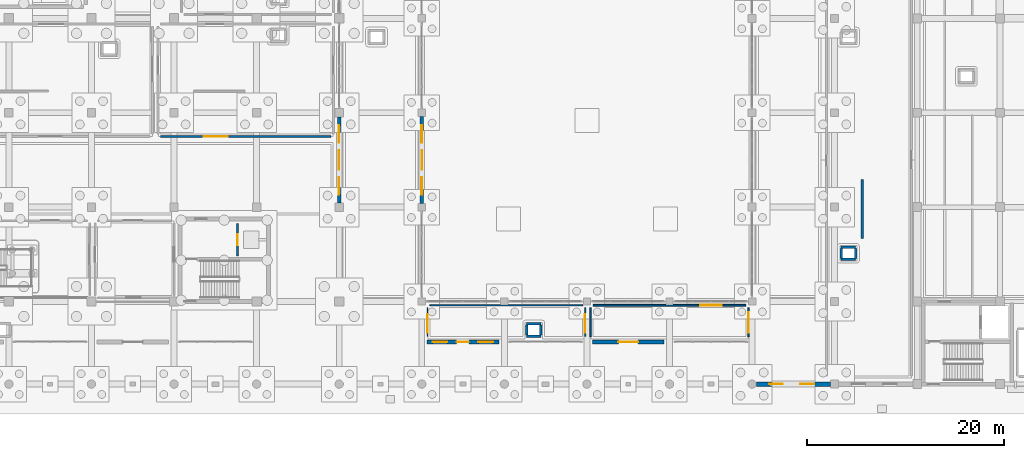
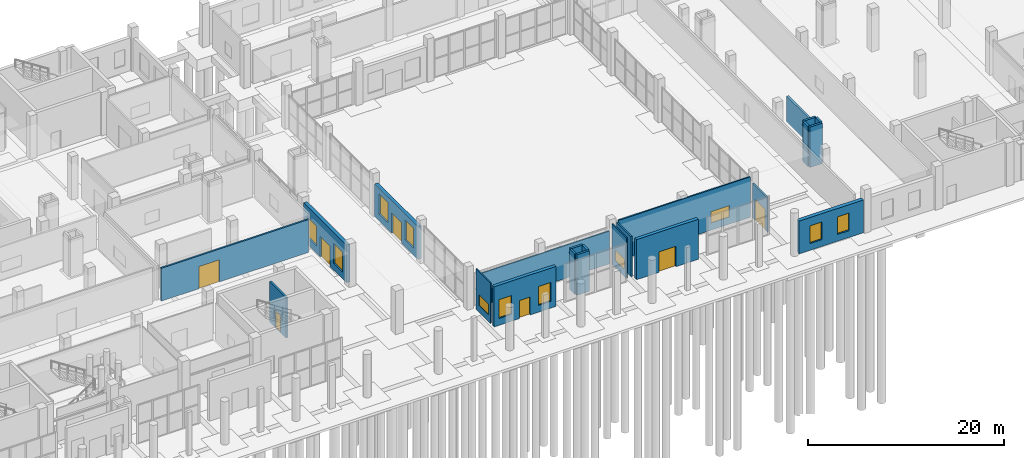
# One storey, part 42 of 65: 22 walls, 11 windows, 7 doors, 18 openings.
"""IFC4 building model written with IfcOpenShell, lengths in metres."""

import ifcopenshell
import ifcopenshell.guid

model = None  # the IFC model being written
_history = None  # IfcOwnerHistory: only IFC2X3 demands one
_inside = {}  # id of a spatial element -> (the spatial element, [elements in it])
_under = {}  # id of a project, library or spatial element -> (it, [spatial elements below it])
_declared = {}  # id of a project -> (the project, [libraries it declares])
_typed = {}  # id of a type object -> (the type object, [elements of that type])
_made_of = {}  # id of a material, layer set ... -> (it, [elements and type objects made of it])


def new_model(schema):
    """Start an empty IFC model of exactly this schema.

    Asked for "IFC4X3", IfcOpenShell would pick the latest addendum, in which some entities
    have other attributes; the version numbers below select the first issue.
    IFC2X3 requires an IfcOwnerHistory on every rooted entity: one is made here for all.
    """
    global model, _history
    if schema == "IFC4X3":
        model = ifcopenshell.file(schema_version=(4, 3, 0, 0))
    else:
        model = ifcopenshell.file(schema=schema)
    _inside.clear()
    _under.clear()
    _declared.clear()
    _typed.clear()
    _made_of.clear()
    _history = None
    if model.schema == "IFC2X3":
        org = make("IfcOrganization", Name="unknown")
        user = make(
            "IfcPersonAndOrganization",
            ThePerson=make("IfcPerson", FamilyName="unknown"),
            TheOrganization=org,
        )
        app = make(
            "IfcApplication",
            ApplicationDeveloper=org,
            Version="unknown",
            ApplicationFullName="unknown",
            ApplicationIdentifier="unknown",
        )
        _history = make(
            "IfcOwnerHistory",
            OwningUser=user,
            OwningApplication=app,
            ChangeAction="ADDED",
            CreationDate=0,
        )
    return model


def make(cls, **values):
    """One entity of the class cls with the attributes given. An attribute that is None is left unset."""
    return model.create_entity(
        cls, **{name: value for name, value in values.items() if value is not None}
    )


def rooted(cls, **values):
    """An entity with a GlobalId (a new one), such as an element, a storey or a relation."""
    return make(cls, GlobalId=ifcopenshell.guid.new(), OwnerHistory=_history, **values)


def si_unit(unit_type, name, prefix=None):
    """IfcSIUnit, for example si_unit("LENGTHUNIT", "METRE", prefix="MILLI")."""
    return make("IfcSIUnit", UnitType=unit_type, Prefix=prefix, Name=name)


def assignment(units):
    """IfcUnitAssignment: the units of a project."""
    return None if units is None else make("IfcUnitAssignment", Units=units)


def point(xyz):
    """IfcCartesianPoint."""
    return None if xyz is None else make("IfcCartesianPoint", Coordinates=xyz)


def direction(xyz):
    """IfcDirection."""
    return None if xyz is None else make("IfcDirection", DirectionRatios=xyz)


def frame(location, z_axis=None, x_axis=None):
    """IfcAxis2Placement3D, a coordinate frame: its origin and axes. An axis left out is left unset."""
    return make(
        "IfcAxis2Placement3D",
        Location=point(location),
        Axis=direction(z_axis),
        RefDirection=direction(x_axis),
    )


def frame_2d(location, x_axis=None):
    """IfcAxis2Placement2D, a coordinate frame in the plane: its origin and x axis."""
    return make(
        "IfcAxis2Placement2D", Location=point(location), RefDirection=direction(x_axis)
    )


def origin():
    """The frame at (0, 0, 0) with its axes left unset."""
    return frame((0.0, 0.0, 0.0))


def place(relative_to, where):
    """IfcLocalPlacement: puts the frame where relative to a parent placement (None: the world)."""
    return make(
        "IfcLocalPlacement", PlacementRelTo=relative_to, RelativePlacement=where
    )


def context(
    kind, dimensions, precision=None, world=None, true_north=None, identifier=None
):
    """IfcGeometricRepresentationContext, for example the 3D "Model" context."""
    return make(
        "IfcGeometricRepresentationContext",
        ContextIdentifier=identifier,
        ContextType=kind,
        CoordinateSpaceDimension=dimensions,
        Precision=precision,
        WorldCoordinateSystem=world,
        TrueNorth=true_north,
    )


def subcontext(parent, identifier, kind, view, scale=None):
    """IfcGeometricRepresentationSubContext, for example "Body" below "Model"."""
    return make(
        "IfcGeometricRepresentationSubContext",
        ContextIdentifier=identifier,
        ContextType=kind,
        ParentContext=parent,
        TargetScale=scale,
        TargetView=view,
    )


def project(units=None, contexts=None):
    """IfcProject with its units and contexts."""
    return rooted(
        "IfcProject",
        Name="project",
        RepresentationContexts=contexts,
        UnitsInContext=assignment(units),
    )


def spatial(cls, under=None, at=None, **own):
    """A site, building, storey or space (cls), placed at a placement, below another one or the project."""
    s = rooted(cls, ObjectPlacement=at, **own)
    if under is not None:
        _under.setdefault(under.id(), (under, []))[1].append(s)
    return s


def profile(cls, at=None, kind="AREA", **sizes):
    """A parametric profile (cls). Its sizes go by their IFC names, for example OverallWidth=200.0."""
    return make(cls, ProfileType=kind, Position=at, **sizes)


def rectangle(**sizes):
    """IfcRectangleProfileDef."""
    return profile("IfcRectangleProfileDef", **sizes)


def extrude(swept, where, along, depth):
    """IfcExtrudedAreaSolid: the profile swept, set in the frame where, extruded along a direction by depth."""
    return make(
        "IfcExtrudedAreaSolid",
        SweptArea=swept,
        Position=where,
        ExtrudedDirection=direction(along),
        Depth=depth,
    )


def shape(context_of_items, identifier, shape_type, items):
    """IfcShapeRepresentation: the items that make up one representation, for example the "Body"."""
    return make(
        "IfcShapeRepresentation",
        ContextOfItems=context_of_items,
        RepresentationIdentifier=identifier,
        RepresentationType=shape_type,
        Items=items,
    )


def material(Name=None, Category=None):
    """IfcMaterial."""
    return make("IfcMaterial", Name=Name, Category=Category)


def layer(
    of_material, thickness, ventilated=None, Name=None, Category=None, Priority=None
):
    """IfcMaterialLayer: one layer of a wall or slab, of a material (None: an air gap)."""
    return make(
        "IfcMaterialLayer",
        Material=of_material,
        LayerThickness=thickness,
        IsVentilated=ventilated,
        Name=Name,
        Category=Category,
        Priority=Priority,
    )


def layer_set(layers, Name=None):
    """IfcMaterialLayerSet."""
    return make("IfcMaterialLayerSet", MaterialLayers=layers, LayerSetName=Name)


def made_of(thing, what):
    """Note that an element or type object is made of a material, layer set ...; save() writes the relation."""
    if what is not None:
        _made_of.setdefault(what.id(), (what, []))[1].append(thing)
    return thing


def type_object(cls, material=None, **own):
    """A type object (cls), such as IfcWallType, which elements share."""
    return made_of(rooted(cls, **own), material)


def element(
    cls,
    number,
    at=None,
    inside=None,
    cuts=None,
    type_object=None,
    material=None,
    context=None,
    identifier="Body",
    shape_type=None,
    held_by="IfcProductDefinitionShape",
    body=None,
    shapes=None,
    **own,
):
    """One element of the class cls, such as IfcWall. Its Tag is "e" and its number.

    at: its placement. inside: the storey or other place that contains it. cuts: it is an
    opening in that element (IfcRelVoidsElement). A single representation is given by context,
    identifier, shape_type and body (its items); several are given by shapes. held_by: the class
    of the entity that holds the representations. save() writes the other relations.
    """
    e = rooted(cls, Tag="e%d" % number, ObjectPlacement=at, **own)
    if body is not None:
        shapes = [shape(context, identifier, shape_type, body)]
    if shapes is not None:
        e.Representation = make(held_by, Representations=shapes)
    if inside is not None:
        _inside.setdefault(inside.id(), (inside, []))[1].append(e)
    if cuts is not None:
        rooted(
            "IfcRelVoidsElement", RelatingBuildingElement=cuts, RelatedOpeningElement=e
        )
    if type_object is not None:
        _typed.setdefault(type_object.id(), (type_object, []))[1].append(e)
    return made_of(e, material)


def fill(opening, filler):
    """IfcRelFillsElement: the door or window that sits in an opening."""
    return rooted(
        "IfcRelFillsElement",
        RelatingOpeningElement=opening,
        RelatedBuildingElement=filler,
    )


def aggregate(whole, parts):
    """IfcRelAggregates: a whole, such as a stair, and the parts it consists of."""
    return rooted("IfcRelAggregates", RelatingObject=whole, RelatedObjects=parts)


def save(model, path):
    """Write the relations noted so far, then the file.

    IfcRelAggregates (storeys below a building ...), IfcRelContainedInSpatialStructure (elements
    in a storey), IfcRelDefinesByType, IfcRelAssociatesMaterial and IfcRelDeclares: one each for
    every whole, place, type object, material and project.
    """
    for whole, parts in _under.values():
        aggregate(whole, parts)
    for where, things in _inside.values():
        rooted(
            "IfcRelContainedInSpatialStructure",
            RelatedElements=things,
            RelatingStructure=where,
        )
    for kind, things in _typed.values():
        rooted("IfcRelDefinesByType", RelatedObjects=things, RelatingType=kind)
    for what, things in _made_of.values():
        rooted("IfcRelAssociatesMaterial", RelatedObjects=things, RelatingMaterial=what)
    for by, libraries in _declared.values():
        rooted("IfcRelDeclares", RelatingContext=by, RelatedDefinitions=libraries)
    model.write(path)


model = new_model("IFC4")

# Units and contexts
model_context = context("Model", 3, precision=1e-05, world=origin(), true_north=direction((0.0, 1.0)))
body_context = subcontext(model_context, "Body", "Model", "MODEL_VIEW")
ifc_project = project(units=[si_unit("LENGTHUNIT", "METRE"), si_unit("AREAUNIT", "SQUARE_METRE"), si_unit("VOLUMEUNIT", "CUBIC_METRE"), si_unit("PLANEANGLEUNIT", "RADIAN"), si_unit("MASSUNIT", "GRAM", prefix="KILO")], contexts=[model_context])

# Site, building, storey
site_placement = place(None, origin())
site = spatial("IfcSite", under=ifc_project, at=site_placement, CompositionType="ELEMENT")
building_placement = place(site_placement, origin())
building = spatial("IfcBuilding", under=site, at=building_placement, Name="Zulmaris Art Gallery", CompositionType="ELEMENT")
storey_placement = place(building_placement, origin())
storey = spatial("IfcBuildingStorey", under=building, at=storey_placement, Name="L00", CompositionType="ELEMENT", Elevation=0.0)

# Wall, openings, windows
ifc_material_1 = material(Name="Omani Cream Limestone Ashlar Masonry", Category="masonry")
ifc_layer_1 = layer(ifc_material_1, 0.43994140625)
ifc_layer_set_1 = layer_set([ifc_layer_1], Name="Omani Cream Limestone Ashlar Masonry")
wall_type_1 = type_object("IfcWallType", Name="ENV-WALL-EW01", PredefinedType="SOLIDWALL", material=ifc_layer_set_1)
wall_1_placement = place(storey_placement, frame((125.22705078125, 13.199951171875, 0.0), z_axis=(0.0, 0.0, 1.0), x_axis=(1.0, 0.0, 0.0)))
wall_1 = element("IfcWall", 1, at=wall_1_placement, inside=storey, type_object=wall_type_1, Name="L00 V4 South Street Facade", PredefinedType="SOLIDWALL", context=body_context, shape_type="SweptSolid", body=[
    extrude(rectangle(XDim=7.571044921875, YDim=0.43994140625, at=frame_2d((3.78564453125, 0.0))), origin(), (0.0, 0.0, 1.0), 4.090087890625),
])
opening_1_placement = place(wall_1_placement, frame((1.29296875, 0.0, 0.85009765625)))
opening_1 = element("IfcOpeningElement", 2, at=opening_1_placement, cuts=wall_1, Name="Opening W04", PredefinedType="OPENING", context=body_context, shape_type="SweptSolid", body=[
    extrude(rectangle(XDim=1.39990234375, YDim=2.199951171875, at=frame_2d((0.699951171875, 1.10009765625))), frame((0.0, 0.22998046875, 0.0), z_axis=(0.0, -1.0, 0.0), x_axis=(1.0, 0.0, 0.0)), (0.0, 0.0, 1.0), 0.4599609375),
])
opening_2_placement = place(wall_1_placement, frame((4.492919921875, 0.0, 0.85009765625)))
opening_2 = element("IfcOpeningElement", 3, at=opening_2_placement, cuts=wall_1, Name="Opening W04", PredefinedType="OPENING", context=body_context, shape_type="SweptSolid", body=[
    extrude(rectangle(XDim=1.39990234375, YDim=2.199951171875, at=frame_2d((0.699951171875, 1.10009765625))), frame((0.0, 0.22998046875, 0.0), z_axis=(0.0, -1.0, 0.0), x_axis=(1.0, 0.0, 0.0)), (0.0, 0.0, 1.0), 0.4599609375),
])
ifc_material_2 = material(Name="Deep-Reveal Limestone Slot Window", Category="masonry")
window_type_1 = type_object("IfcWindowType", Name="WIN-W04", PartitioningType="SINGLE_PANEL", PredefinedType="WINDOW", material=ifc_material_2)
window_1_placement = place(opening_1_placement, origin())
window_1 = element("IfcWindow", 4, at=window_1_placement, inside=storey, type_object=window_type_1, Name="L00 exterior window W04", OverallHeight=2.199951171875, OverallWidth=1.39990234375, PartitioningType="SINGLE_PANEL", PredefinedType="WINDOW", context=body_context, shape_type="SweptSolid", body=[
    extrude(rectangle(XDim=1.39990234375, YDim=2.199951171875, at=frame_2d((0.699951171875, 1.10009765625))), frame((0.0, 0.030029296875, 0.0), z_axis=(0.0, -1.0, 0.0), x_axis=(1.0, 0.0, 0.0)), (0.0, 0.0, 1.0), 0.06005859375),
])
fill(opening_1, window_1)
window_2_placement = place(opening_2_placement, origin())
window_2 = element("IfcWindow", 5, at=window_2_placement, inside=storey, type_object=window_type_1, Name="L00 exterior window W04", OverallHeight=2.199951171875, OverallWidth=1.39990234375, PartitioningType="SINGLE_PANEL", PredefinedType="WINDOW", context=body_context, shape_type="SweptSolid", body=[
    extrude(rectangle(XDim=1.39990234375, YDim=2.199951171875, at=frame_2d((0.699951171875, 1.10009765625))), frame((0.0, 0.030029296875, 0.0), z_axis=(0.0, -1.0, 0.0), x_axis=(1.0, 0.0, 0.0)), (0.0, 0.0, 1.0), 0.06005859375),
])
fill(opening_2, window_2)

# Wall, opening, door
ifc_material_3 = material(Name="Omani Desert Rose Limestone Cladding Wall", Category="masonry")
ifc_layer_2 = layer(ifc_material_3, 0.389892578125)
ifc_layer_set_2 = layer_set([ifc_layer_2], Name="Omani Desert Rose Limestone Cladding Wall")
wall_type_2 = type_object("IfcWallType", Name="ENV-WALL-EW02", PredefinedType="SOLIDWALL", material=ifc_layer_set_2)
wall_2_placement = place(storey_placement, frame((108.550048828125, 17.5, 0.0), z_axis=(0.0, 0.0, 1.0), x_axis=(1.0, 0.0, 0.0)))
wall_2 = element("IfcWall", 6, at=wall_2_placement, inside=storey, type_object=wall_type_2, Name="L00 Cloister South Exit Wall", PredefinedType="SOLIDWALL", context=body_context, shape_type="SweptSolid", body=[
    extrude(rectangle(XDim=7.300048828125, YDim=0.389892578125, at=frame_2d((3.64990234375, 0.0))), origin(), (0.0, 0.0, 1.0), 5.0),
])
opening_3_placement = place(wall_2_placement, frame((2.64990234375, 0.0, 0.0)))
opening_3 = element("IfcOpeningElement", 7, at=opening_3_placement, cuts=wall_2, Name="Opening ED01", PredefinedType="OPENING", context=body_context, shape_type="SweptSolid", body=[
    extrude(rectangle(XDim=2.0, YDim=2.550048828125, at=frame_2d((1.0, 1.27490234375))), frame((0.0, 0.204833984375, 0.0), z_axis=(0.0, -1.0, 0.0), x_axis=(1.0, 0.0, 0.0)), (0.0, 0.0, 1.0), 0.409912109375),
])
ifc_material_4 = material(Name="Bronze-Framed Glazed Main Entrance Door", Category="glass")
door_type_1 = type_object("IfcDoorType", Name="EDOOR-ED01", OperationType="DOUBLE_SWING_LEFT", PredefinedType="DOOR", material=ifc_material_4)
door_1_placement = place(opening_3_placement, origin())
door_1 = element("IfcDoor", 8, at=door_1_placement, inside=storey, type_object=door_type_1, Name="Sculpture Cloister South Street Exit Door", OperationType="DOUBLE_SWING_LEFT", OverallHeight=2.550048828125, OverallWidth=2.0, PredefinedType="DOOR", context=body_context, shape_type="SweptSolid", body=[
    extrude(rectangle(XDim=2.0, YDim=2.550048828125, at=frame_2d((1.0, 1.27490234375))), frame((0.0, 0.02490234375, 0.0), z_axis=(0.0, -1.0, 0.0), x_axis=(1.0, 0.0, 0.0)), (0.0, 0.0, 1.0), 0.050048828125),
])
fill(opening_3, door_1)

# Wall, openings, door, windows
wall_3_placement = place(storey_placement, frame((91.75, 17.5, 0.0), z_axis=(0.0, 0.0, 1.0), x_axis=(1.0, 0.0, 0.0)))
wall_3 = element("IfcWall", 9, at=wall_3_placement, inside=storey, type_object=wall_type_2, Name="L00 Cafe Colonnade Wall", PredefinedType="SOLIDWALL", context=body_context, shape_type="SweptSolid", body=[
    extrude(rectangle(XDim=7.300048828125, YDim=0.389892578125, at=frame_2d((3.64990234375, 0.0))), origin(), (0.0, 0.0, 1.0), 5.0),
])
opening_4_placement = place(wall_3_placement, frame((0.550048828125, 0.0, 0.85009765625)))
opening_4 = element("IfcOpeningElement", 10, at=opening_4_placement, cuts=wall_3, Name="Opening W07", PredefinedType="OPENING", context=body_context, shape_type="SweptSolid", body=[
    extrude(rectangle(XDim=1.5, YDim=2.35009765625, at=frame_2d((0.75, 1.175048828125))), frame((0.0, 0.204833984375, 0.0), z_axis=(0.0, -1.0, 0.0), x_axis=(1.0, 0.0, 0.0)), (0.0, 0.0, 1.0), 0.409912109375),
])
opening_5_placement = place(wall_3_placement, frame((5.199951171875, 0.0, 0.85009765625)))
opening_5 = element("IfcOpeningElement", 11, at=opening_5_placement, cuts=wall_3, Name="Opening W07", PredefinedType="OPENING", context=body_context, shape_type="SweptSolid", body=[
    extrude(rectangle(XDim=1.5, YDim=2.35009765625, at=frame_2d((0.75, 1.175048828125))), frame((0.0, 0.204833984375, 0.0), z_axis=(0.0, -1.0, 0.0), x_axis=(1.0, 0.0, 0.0)), (0.0, 0.0, 1.0), 0.409912109375),
])
opening_6_placement = place(wall_3_placement, frame((3.0, 0.0, 0.0)))
opening_6 = element("IfcOpeningElement", 12, at=opening_6_placement, cuts=wall_3, Name="Opening ED04", PredefinedType="OPENING", context=body_context, shape_type="SweptSolid", body=[
    extrude(rectangle(XDim=1.25, YDim=2.25, at=frame_2d((0.625, 1.125))), frame((0.0, 0.204833984375, 0.0), z_axis=(0.0, -1.0, 0.0), x_axis=(1.0, 0.0, 0.0)), (0.0, 0.0, 1.0), 0.409912109375),
])
ifc_material_5 = material(Name="Staff & Cafe Exterior Door", Category="aluminium")
door_type_2 = type_object("IfcDoorType", Name="EDOOR-ED04", OperationType="SINGLE_SWING_RIGHT", PredefinedType="DOOR", material=ifc_material_5)
door_2_placement = place(opening_6_placement, origin())
door_2 = element("IfcDoor", 13, at=door_2_placement, inside=storey, type_object=door_type_2, Name="Gallery Cafe Colonnade Entrance", OperationType="SINGLE_SWING_RIGHT", OverallHeight=2.25, OverallWidth=1.25, PredefinedType="DOOR", context=body_context, shape_type="SweptSolid", body=[
    extrude(rectangle(XDim=1.25, YDim=2.25, at=frame_2d((0.625, 1.125))), frame((0.0, 0.02490234375, 0.0), z_axis=(0.0, -1.0, 0.0), x_axis=(1.0, 0.0, 0.0)), (0.0, 0.0, 1.0), 0.050048828125),
])
fill(opening_6, door_2)
ifc_material_6 = material(Name="Gallery Cloister Bronze Window", Category="glass")
window_type_2 = type_object("IfcWindowType", Name="WIN-W07", PartitioningType="SINGLE_PANEL", PredefinedType="WINDOW", material=ifc_material_6)
window_3_placement = place(opening_4_placement, origin())
window_3 = element("IfcWindow", 14, at=window_3_placement, inside=storey, type_object=window_type_2, Name="L00 exterior window W07", OverallHeight=2.35009765625, OverallWidth=1.5, PartitioningType="SINGLE_PANEL", PredefinedType="WINDOW", context=body_context, shape_type="SweptSolid", body=[
    extrude(rectangle(XDim=1.5, YDim=2.35009765625, at=frame_2d((0.75, 1.175048828125))), frame((0.0, 0.030029296875, 0.0), z_axis=(0.0, -1.0, 0.0), x_axis=(1.0, 0.0, 0.0)), (0.0, 0.0, 1.0), 0.06005859375),
])
fill(opening_4, window_3)
window_4_placement = place(opening_5_placement, origin())
window_4 = element("IfcWindow", 15, at=window_4_placement, inside=storey, type_object=window_type_2, Name="L00 exterior window W07", OverallHeight=2.35009765625, OverallWidth=1.5, PartitioningType="SINGLE_PANEL", PredefinedType="WINDOW", context=body_context, shape_type="SweptSolid", body=[
    extrude(rectangle(XDim=1.5, YDim=2.35009765625, at=frame_2d((0.75, 1.175048828125))), frame((0.0, 0.030029296875, 0.0), z_axis=(0.0, -1.0, 0.0), x_axis=(1.0, 0.0, 0.0)), (0.0, 0.0, 1.0), 0.06005859375),
])
fill(opening_5, window_4)

wall_4_placement = place(storey_placement, frame((82.800048828125, 31.626953125, 0.0), z_axis=(0.0, 0.0, 1.0), x_axis=(0.0, 1.0, 0.0)))
wall_4 = element("IfcWall", 16, at=wall_4_placement, inside=storey, type_object=wall_type_2, Name="L00 Bridge West Portal", PredefinedType="SOLIDWALL", context=body_context, shape_type="SweptSolid", body=[
    extrude(rectangle(XDim=8.74609375, YDim=0.389892578125, at=frame_2d((4.373046875, 0.0))), origin(), (0.0, 0.0, 1.0), 4.7099609375),
])
opening_7_placement = place(wall_4_placement, frame((0.822998046875, 0.0, 0.85009765625)))
opening_7 = element("IfcOpeningElement", 17, at=opening_7_placement, cuts=wall_4, Name="Opening W02", PredefinedType="OPENING", context=body_context, shape_type="SweptSolid", body=[
    extrude(rectangle(XDim=1.800048828125, YDim=2.5, at=frame_2d((0.89990234375, 1.25))), frame((0.0, 0.204833984375, 0.0), z_axis=(0.0, -1.0, 0.0), x_axis=(1.0, 0.0, 0.0)), (0.0, 0.0, 1.0), 0.409912109375),
])
opening_8_placement = place(wall_4_placement, frame((6.123046875, 0.0, 0.85009765625)))
opening_8 = element("IfcOpeningElement", 18, at=opening_8_placement, cuts=wall_4, Name="Opening W02", PredefinedType="OPENING", context=body_context, shape_type="SweptSolid", body=[
    extrude(rectangle(XDim=1.800048828125, YDim=2.5, at=frame_2d((0.89990234375, 1.25))), frame((0.0, 0.204833984375, 0.0), z_axis=(0.0, -1.0, 0.0), x_axis=(1.0, 0.0, 0.0)), (0.0, 0.0, 1.0), 0.409912109375),
])
opening_9_placement = place(wall_4_placement, frame((3.373046875, 0.0, 0.0)))
opening_9 = element("IfcOpeningElement", 19, at=opening_9_placement, cuts=wall_4, Name="Opening ED01", PredefinedType="OPENING", context=body_context, shape_type="SweptSolid", body=[
    extrude(rectangle(XDim=2.0, YDim=2.550048828125, at=frame_2d((1.0, 1.27490234375))), frame((0.0, 0.204833984375, 0.0), z_axis=(0.0, -1.0, 0.0), x_axis=(1.0, 0.0, 0.0)), (0.0, 0.0, 1.0), 0.409912109375),
])
door_3_placement = place(opening_9_placement, origin())
door_3 = element("IfcDoor", 20, at=door_3_placement, inside=storey, type_object=door_type_1, Name="Bridge West Courtyard Door", OperationType="DOUBLE_SWING_LEFT", OverallHeight=2.550048828125, OverallWidth=2.0, PredefinedType="DOOR", context=body_context, shape_type="SweptSolid", body=[
    extrude(rectangle(XDim=2.0, YDim=2.550048828125, at=frame_2d((1.0, 1.27490234375))), frame((0.0, 0.02490234375, 0.0), z_axis=(0.0, -1.0, 0.0), x_axis=(1.0, 0.0, 0.0)), (0.0, 0.0, 1.0), 0.050048828125),
])
fill(opening_9, door_3)
ifc_material_7 = material(Name="Double-Glazed Solar-Control Low-E Window", Category="glass")
window_type_3 = type_object("IfcWindowType", Name="WIN-W02", PartitioningType="SINGLE_PANEL", PredefinedType="WINDOW", material=ifc_material_7)
window_5_placement = place(opening_7_placement, origin())
window_5 = element("IfcWindow", 21, at=window_5_placement, inside=storey, type_object=window_type_3, Name="L00 exterior window W02", OverallHeight=2.5, OverallWidth=1.800048828125, PartitioningType="SINGLE_PANEL", PredefinedType="WINDOW", context=body_context, shape_type="SweptSolid", body=[
    extrude(rectangle(XDim=1.800048828125, YDim=2.5, at=frame_2d((0.89990234375, 1.25))), frame((0.0, 0.030029296875, 0.0), z_axis=(0.0, -1.0, 0.0), x_axis=(1.0, 0.0, 0.0)), (0.0, 0.0, 1.0), 0.06005859375),
])
fill(opening_7, window_5)
window_6_placement = place(opening_8_placement, origin())
window_6 = element("IfcWindow", 22, at=window_6_placement, inside=storey, type_object=window_type_3, Name="L00 exterior window W02", OverallHeight=2.5, OverallWidth=1.800048828125, PartitioningType="SINGLE_PANEL", PredefinedType="WINDOW", context=body_context, shape_type="SweptSolid", body=[
    extrude(rectangle(XDim=1.800048828125, YDim=2.5, at=frame_2d((0.89990234375, 1.25))), frame((0.0, 0.030029296875, 0.0), z_axis=(0.0, -1.0, 0.0), x_axis=(1.0, 0.0, 0.0)), (0.0, 0.0, 1.0), 0.06005859375),
])
fill(opening_8, window_6)

wall_5_placement = place(storey_placement, frame((91.199951171875, 31.576904296875, 0.0), z_axis=(0.0, 0.0, 1.0), x_axis=(0.0, 1.0, 0.0)))
wall_5 = element("IfcWall", 23, at=wall_5_placement, inside=storey, type_object=wall_type_2, Name="L00 Bridge East Portal", PredefinedType="SOLIDWALL", context=body_context, shape_type="SweptSolid", body=[
    extrude(rectangle(XDim=8.84619140625, YDim=0.389892578125, at=frame_2d((4.423095703125, 0.0))), origin(), (0.0, 0.0, 1.0), 4.090087890625),
])
opening_10_placement = place(wall_5_placement, frame((0.873046875, 0.0, 0.85009765625)))
opening_10 = element("IfcOpeningElement", 24, at=opening_10_placement, cuts=wall_5, Name="Opening W02", PredefinedType="OPENING", context=body_context, shape_type="SweptSolid", body=[
    extrude(rectangle(XDim=1.800048828125, YDim=2.5, at=frame_2d((0.89990234375, 1.25))), frame((0.0, 0.204833984375, 0.0), z_axis=(0.0, -1.0, 0.0), x_axis=(1.0, 0.0, 0.0)), (0.0, 0.0, 1.0), 0.409912109375),
])
opening_11_placement = place(wall_5_placement, frame((6.173095703125, 0.0, 0.85009765625)))
opening_11 = element("IfcOpeningElement", 25, at=opening_11_placement, cuts=wall_5, Name="Opening W02", PredefinedType="OPENING", context=body_context, shape_type="SweptSolid", body=[
    extrude(rectangle(XDim=1.800048828125, YDim=2.5, at=frame_2d((0.89990234375, 1.25))), frame((0.0, 0.204833984375, 0.0), z_axis=(0.0, -1.0, 0.0), x_axis=(1.0, 0.0, 0.0)), (0.0, 0.0, 1.0), 0.409912109375),
])
opening_12_placement = place(wall_5_placement, frame((3.423095703125, 0.0, 0.0)))
opening_12 = element("IfcOpeningElement", 26, at=opening_12_placement, cuts=wall_5, Name="Opening ED01", PredefinedType="OPENING", context=body_context, shape_type="SweptSolid", body=[
    extrude(rectangle(XDim=2.0, YDim=2.550048828125, at=frame_2d((1.0, 1.27490234375))), frame((0.0, 0.204833984375, 0.0), z_axis=(0.0, -1.0, 0.0), x_axis=(1.0, 0.0, 0.0)), (0.0, 0.0, 1.0), 0.409912109375),
])
door_4_placement = place(opening_12_placement, origin())
door_4 = element("IfcDoor", 27, at=door_4_placement, inside=storey, type_object=door_type_1, Name="Sculpture Court West Portal", OperationType="DOUBLE_SWING_LEFT", OverallHeight=2.550048828125, OverallWidth=2.0, PredefinedType="DOOR", context=body_context, shape_type="SweptSolid", body=[
    extrude(rectangle(XDim=2.0, YDim=2.550048828125, at=frame_2d((1.0, 1.27490234375))), frame((0.0, 0.02490234375, 0.0), z_axis=(0.0, -1.0, 0.0), x_axis=(1.0, 0.0, 0.0)), (0.0, 0.0, 1.0), 0.050048828125),
])
fill(opening_12, door_4)
window_7_placement = place(opening_10_placement, origin())
window_7 = element("IfcWindow", 28, at=window_7_placement, inside=storey, type_object=window_type_3, Name="L00 exterior window W02", OverallHeight=2.5, OverallWidth=1.800048828125, PartitioningType="SINGLE_PANEL", PredefinedType="WINDOW", context=body_context, shape_type="SweptSolid", body=[
    extrude(rectangle(XDim=1.800048828125, YDim=2.5, at=frame_2d((0.89990234375, 1.25))), frame((0.0, 0.030029296875, 0.0), z_axis=(0.0, -1.0, 0.0), x_axis=(1.0, 0.0, 0.0)), (0.0, 0.0, 1.0), 0.06005859375),
])
fill(opening_10, window_7)
window_8_placement = place(opening_11_placement, origin())
window_8 = element("IfcWindow", 29, at=window_8_placement, inside=storey, type_object=window_type_3, Name="L00 exterior window W02", OverallHeight=2.5, OverallWidth=1.800048828125, PartitioningType="SINGLE_PANEL", PredefinedType="WINDOW", context=body_context, shape_type="SweptSolid", body=[
    extrude(rectangle(XDim=1.800048828125, YDim=2.5, at=frame_2d((0.89990234375, 1.25))), frame((0.0, 0.030029296875, 0.0), z_axis=(0.0, -1.0, 0.0), x_axis=(1.0, 0.0, 0.0)), (0.0, 0.0, 1.0), 0.06005859375),
])
fill(opening_11, window_8)

# Walls
ifc_material_8 = material(Name="Pivoting Double-Sided Canvas Display Wall D", Category="timber")
ifc_layer_3 = layer(ifc_material_8, 0.248046875)
ifc_layer_set_3 = layer_set([ifc_layer_3], Name="Pivoting Double-Sided Canvas Display Wall D")
wall_type_3 = type_object("IfcWallType", Name="IWALL-MW04", PredefinedType="MOVABLE", material=ifc_layer_set_3)
wall_6_placement = place(storey_placement, frame((136.0, 28.0, 0.0), z_axis=(0.0, 0.0, 1.0), x_axis=(0.0, 1.0, 0.0)))
element("IfcWall", 30, at=wall_6_placement, inside=storey, type_object=wall_type_3, Name="L00 Movable Gallery Display Wall 4", PredefinedType="MOVABLE", context=body_context, shape_type="SweptSolid", body=[
    extrude(rectangle(XDim=6.0, YDim=0.248046875, at=frame_2d((3.0, 0.0))), origin(), (0.0, 0.0, 1.0), 3.199951171875),
])
ifc_material_9 = material(Name="Plywood-Backed Gallery Hanging Partition", Category="wood")
ifc_layer_4 = layer(ifc_material_9, 0.14501953125)
ifc_layer_set_4 = layer_set([ifc_layer_4], Name="Plywood-Backed Gallery Hanging Partition")
wall_type_4 = type_object("IfcWallType", Name="IWALL-PW04", PredefinedType="PARTITIONING", material=ifc_layer_set_4)
wall_7_placement = place(storey_placement, frame((92.030029296875, 21.219970703125, 0.0), z_axis=(0.0, 0.0, 1.0), x_axis=(1.0, 0.0, 0.0)))
element("IfcWall", 31, at=wall_7_placement, inside=storey, type_object=wall_type_4, Name="Cafe Preparation Kitchen N partition", PredefinedType="PARTITIONING", context=body_context, shape_type="SweptSolid", body=[
    extrude(rectangle(XDim=15.5400390625, YDim=0.14501953125, at=frame_2d((7.77001953125, 0.0))), origin(), (0.0, 0.0, 1.0), 4.090087890625),
])

# Wall, opening, window
wall_8_placement = place(storey_placement, frame((91.780029296875, 18.030029296875, 0.0), z_axis=(0.0, 0.0, 1.0), x_axis=(0.0, 1.0, 0.0)))
wall_8 = element("IfcWall", 32, at=wall_8_placement, inside=storey, type_object=wall_type_4, Name="Cafe Preparation Kitchen W partition", PredefinedType="PARTITIONING", context=body_context, shape_type="SweptSolid", body=[
    extrude(rectangle(XDim=2.93994140625, YDim=0.14501953125, at=frame_2d((1.469970703125, 0.0))), origin(), (0.0, 0.0, 1.0), 5.0400390625),
])
opening_13_placement = place(wall_8_placement, frame((0.39990234375, 0.0, 0.89990234375)))
opening_13 = element("IfcOpeningElement", 33, at=opening_13_placement, cuts=wall_8, Name="Opening IW02", PredefinedType="OPENING", context=body_context, shape_type="SweptSolid", body=[
    extrude(rectangle(XDim=1.860107421875, YDim=1.280029296875, at=frame_2d((0.93017578125, 0.64013671875))), frame((0.0, 0.08251953125, 0.0), z_axis=(0.0, -1.0, 0.0), x_axis=(1.0, 0.0, 0.0)), (0.0, 0.0, 1.0), 0.1650390625),
])
ifc_material_10 = material(Name="Auditorium Booth Acoustic Window", Category="glass")
window_type_4 = type_object("IfcWindowType", Name="IWIN-IW02", PartitioningType="SINGLE_PANEL", PredefinedType="WINDOW", material=ifc_material_10)
window_9_placement = place(opening_13_placement, origin())
window_9 = element("IfcWindow", 34, at=window_9_placement, inside=storey, type_object=window_type_4, Name="L00 interior observation window IW02", OverallHeight=1.280029296875, OverallWidth=1.860107421875, PartitioningType="SINGLE_PANEL", PredefinedType="WINDOW", context=body_context, shape_type="SweptSolid", body=[
    extrude(rectangle(XDim=1.860107421875, YDim=1.280029296875, at=frame_2d((0.93017578125, 0.64013671875))), frame((0.0, 0.030029296875, 0.0), z_axis=(0.0, -1.0, 0.0), x_axis=(1.0, 0.0, 0.0)), (0.0, 0.0, 1.0), 0.06005859375),
])
fill(opening_13, window_9)

wall_9_placement = place(storey_placement, frame((107.820068359375, 18.030029296875, 0.0), z_axis=(0.0, 0.0, 1.0), x_axis=(0.0, 1.0, 0.0)))
wall_9 = element("IfcWall", 35, at=wall_9_placement, inside=storey, type_object=wall_type_4, Name="Cafe Preparation Kitchen E partition", PredefinedType="PARTITIONING", context=body_context, shape_type="SweptSolid", body=[
    extrude(rectangle(XDim=2.93994140625, YDim=0.14501953125, at=frame_2d((1.469970703125, 0.0))), origin(), (0.0, 0.0, 1.0), 5.0400390625),
])
opening_14_placement = place(wall_9_placement, frame((0.39990234375, 0.0, 0.89990234375)))
opening_14 = element("IfcOpeningElement", 36, at=opening_14_placement, cuts=wall_9, Name="Opening IW02", PredefinedType="OPENING", context=body_context, shape_type="SweptSolid", body=[
    extrude(rectangle(XDim=1.860107421875, YDim=1.280029296875, at=frame_2d((0.93017578125, 0.64013671875))), frame((0.0, 0.08251953125, 0.0), z_axis=(0.0, -1.0, 0.0), x_axis=(1.0, 0.0, 0.0)), (0.0, 0.0, 1.0), 0.1650390625),
])
window_10_placement = place(opening_14_placement, origin())
window_10 = element("IfcWindow", 37, at=window_10_placement, inside=storey, type_object=window_type_4, Name="L00 interior observation window IW02", OverallHeight=1.280029296875, OverallWidth=1.860107421875, PartitioningType="SINGLE_PANEL", PredefinedType="WINDOW", context=body_context, shape_type="SweptSolid", body=[
    extrude(rectangle(XDim=1.860107421875, YDim=1.280029296875, at=frame_2d((0.93017578125, 0.64013671875))), frame((0.0, 0.030029296875, 0.0), z_axis=(0.0, -1.0, 0.0), x_axis=(1.0, 0.0, 0.0)), (0.0, 0.0, 1.0), 0.06005859375),
])
fill(opening_14, window_10)

# Wall, opening, door
ifc_material_11 = material(Name="Timber-Backed Heavy Artwork Display Partition", Category="wood")
ifc_layer_5 = layer(ifc_material_11, 0.159912109375)
ifc_layer_set_5 = layer_set([ifc_layer_5], Name="Timber-Backed Heavy Artwork Display Partition")
wall_type_5 = type_object("IfcWallType", Name="IWALL-PW05", PredefinedType="PARTITIONING", material=ifc_layer_set_5)
wall_10_placement = place(storey_placement, frame((124.419921875, 18.030029296875, 0.0), z_axis=(0.0, 0.0, 1.0), x_axis=(0.0, 1.0, 0.0)))
wall_10 = element("IfcWall", 38, at=wall_10_placement, inside=storey, type_object=wall_type_5, Name="Sculpture Court South Cloister E partition", PredefinedType="PARTITIONING", context=body_context, shape_type="SweptSolid", body=[
    extrude(rectangle(XDim=2.93994140625, YDim=0.159912109375, at=frame_2d((1.469970703125, 0.0))), origin(), (0.0, 0.0, 1.0), 4.2900390625),
])
opening_15_placement = place(wall_10_placement, frame((0.39990234375, 0.0, 0.0)))
opening_15 = element("IfcOpeningElement", 39, at=opening_15_placement, cuts=wall_10, Name="Opening D18", PredefinedType="OPENING", context=body_context, shape_type="SweptSolid", body=[
    extrude(rectangle(XDim=2.080078125, YDim=2.580078125, at=frame_2d((1.0400390625, 1.2900390625))), frame((0.0, 0.08984375, 0.0), z_axis=(0.0, -1.0, 0.0), x_axis=(1.0, 0.0, 0.0)), (0.0, 0.0, 1.0), 0.179931640625),
])
ifc_material_12 = material(Name="Grand Foyer Gallery Portal Door B", Category="aluminium")
door_type_3 = type_object("IfcDoorType", Name="IDOOR-D18", OperationType="DOUBLE_SWING_RIGHT", PredefinedType="DOOR", material=ifc_material_12)
door_5_placement = place(opening_15_placement, origin())
door_5 = element("IfcDoor", 40, at=door_5_placement, inside=storey, type_object=door_type_3, Name="Sculpture Court South Cloister Door", OperationType="DOUBLE_SWING_RIGHT", OverallHeight=2.580078125, OverallWidth=2.080078125, PredefinedType="DOOR", context=body_context, shape_type="SweptSolid", body=[
    extrude(rectangle(XDim=2.080078125, YDim=2.580078125, at=frame_2d((1.0400390625, 1.2900390625))), frame((0.0, 0.02490234375, 0.0), z_axis=(0.0, -1.0, 0.0), x_axis=(1.0, 0.0, 0.0)), (0.0, 0.0, 1.0), 0.050048828125),
])
fill(opening_15, door_5)

# Wall, opening, window
wall_11_placement = place(storey_placement, frame((108.6298828125, 21.219970703125, 0.0), z_axis=(0.0, 0.0, 1.0), x_axis=(1.0, 0.0, 0.0)))
wall_11 = element("IfcWall", 41, at=wall_11_placement, inside=storey, type_object=wall_type_5, Name="Sculpture Court South Cloister N partition", PredefinedType="PARTITIONING", context=body_context, shape_type="SweptSolid", body=[
    extrude(rectangle(XDim=15.5400390625, YDim=0.159912109375, at=frame_2d((7.77001953125, 0.0))), origin(), (0.0, 0.0, 1.0), 5.0400390625),
])
opening_16_placement = place(wall_11_placement, frame((10.89990234375, 0.0, 0.89990234375)))
opening_16 = element("IfcOpeningElement", 42, at=opening_16_placement, cuts=wall_11, Name="Opening IW03", PredefinedType="OPENING", context=body_context, shape_type="SweptSolid", body=[
    extrude(rectangle(XDim=2.159912109375, YDim=1.419921875, at=frame_2d((1.080078125, 0.7099609375))), frame((0.0, 0.08984375, 0.0), z_axis=(0.0, -1.0, 0.0), x_axis=(1.0, 0.0, 0.0)), (0.0, 0.0, 1.0), 0.179931640625),
])
ifc_material_13 = material(Name="Analytical Lab Observation Window", Category="glass")
window_type_5 = type_object("IfcWindowType", Name="IWIN-IW03", PartitioningType="SINGLE_PANEL", PredefinedType="WINDOW", material=ifc_material_13)
window_11_placement = place(opening_16_placement, origin())
window_11 = element("IfcWindow", 43, at=window_11_placement, inside=storey, type_object=window_type_5, Name="L00 interior observation window IW03", OverallHeight=1.419921875, OverallWidth=2.159912109375, PartitioningType="SINGLE_PANEL", PredefinedType="WINDOW", context=body_context, shape_type="SweptSolid", body=[
    extrude(rectangle(XDim=2.159912109375, YDim=1.419921875, at=frame_2d((1.080078125, 0.7099609375))), frame((0.0, 0.030029296875, 0.0), z_axis=(0.0, -1.0, 0.0), x_axis=(1.0, 0.0, 0.0)), (0.0, 0.0, 1.0), 0.06005859375),
])
fill(opening_16, window_11)

# Wall
wall_12_placement = place(storey_placement, frame((108.3798828125, 18.030029296875, 0.0), z_axis=(0.0, 0.0, 1.0), x_axis=(0.0, 1.0, 0.0)))
element("IfcWall", 44, at=wall_12_placement, inside=storey, type_object=wall_type_5, Name="Sculpture Court South Cloister W partition", PredefinedType="PARTITIONING", context=body_context, shape_type="SweptSolid", body=[
    extrude(rectangle(XDim=2.93994140625, YDim=0.159912109375, at=frame_2d((1.469970703125, 0.0))), origin(), (0.0, 0.0, 1.0), 5.0400390625),
])

# Wall, opening, door
ifc_material_14 = material(Name="Fire-Rated Corridor Compartment Wall", Category="masonry")
ifc_layer_6 = layer(ifc_material_14, 0.205078125)
ifc_layer_set_6 = layer_set([ifc_layer_6], Name="Fire-Rated Corridor Compartment Wall")
wall_type_6 = type_object("IfcWallType", Name="IWALL-PW08", PredefinedType="PARTITIONING", material=ifc_layer_set_6)
wall_13_placement = place(storey_placement, frame((64.6298828125, 38.3798828125, 0.0), z_axis=(0.0, 0.0, 1.0), x_axis=(1.0, 0.0, 0.0)))
wall_13 = element("IfcWall", 45, at=wall_13_placement, inside=storey, type_object=wall_type_6, Name="Introductory Exhibition Gallery S partition", PredefinedType="PARTITIONING", context=body_context, shape_type="SweptSolid", body=[
    extrude(rectangle(XDim=17.340087890625, YDim=0.205078125, at=frame_2d((8.669921875, 0.0))), origin(), (0.0, 0.0, 1.0), 4.090087890625),
])
opening_17_placement = place(wall_13_placement, frame((4.39990234375, 0.0, 0.0)))
opening_17 = element("IfcOpeningElement", 46, at=opening_17_placement, cuts=wall_13, Name="Opening D21", PredefinedType="OPENING", context=body_context, shape_type="SweptSolid", body=[
    extrude(rectangle(XDim=2.43994140625, YDim=2.760009765625, at=frame_2d((1.219970703125, 1.3798828125))), frame((0.0, 0.112548828125, 0.0), z_axis=(0.0, -1.0, 0.0), x_axis=(1.0, 0.0, 0.0)), (0.0, 0.0, 1.0), 0.22509765625),
])
ifc_material_15 = material(Name="Sculpture Gallery Monumental Portal Door", Category="aluminium")
door_type_4 = type_object("IfcDoorType", Name="IDOOR-D21", OperationType="DOUBLE_SWING_LEFT", PredefinedType="DOOR", material=ifc_material_15)
door_6_placement = place(opening_17_placement, origin())
door_6 = element("IfcDoor", 47, at=door_6_placement, inside=storey, type_object=door_type_4, Name="Introductory Exhibition Gallery Door", OperationType="DOUBLE_SWING_LEFT", OverallHeight=2.760009765625, OverallWidth=2.43994140625, PredefinedType="DOOR", context=body_context, shape_type="SweptSolid", body=[
    extrude(rectangle(XDim=2.43994140625, YDim=2.760009765625, at=frame_2d((1.219970703125, 1.3798828125))), frame((0.0, 0.02490234375, 0.0), z_axis=(0.0, -1.0, 0.0), x_axis=(1.0, 0.0, 0.0)), (0.0, 0.0, 1.0), 0.050048828125),
])
fill(opening_17, door_6)

ifc_material_16 = material(Name="Core Lobby Fire-Resisting Masonry Wall", Category="masonry")
ifc_layer_7 = layer(ifc_material_16, 0.235107421875)
ifc_layer_set_7 = layer_set([ifc_layer_7], Name="Core Lobby Fire-Resisting Masonry Wall")
wall_type_7 = type_object("IfcWallType", Name="IWALL-PW10", PredefinedType="PARTITIONING", material=ifc_layer_set_7)
wall_14_placement = place(storey_placement, frame((72.449951171875, 26.219970703125, 0.0), z_axis=(0.0, 0.0, 1.0), x_axis=(0.0, 1.0, 0.0)))
wall_14 = element("IfcWall", 48, at=wall_14_placement, inside=storey, type_object=wall_type_7, Name="LF-P2 L00 lift shaft front wall", PredefinedType="PARTITIONING", context=body_context, shape_type="SweptSolid", body=[
    extrude(rectangle(XDim=3.330078125, YDim=0.235107421875, at=frame_2d((1.6650390625, 0.0))), origin(), (0.0, 0.0, 1.0), 5.0400390625),
])
opening_18_placement = place(wall_14_placement, frame((1.114990234375, 0.0, 0.0)))
opening_18 = element("IfcOpeningElement", 49, at=opening_18_placement, cuts=wall_14, Name="Opening LD01", PredefinedType="OPENING", context=body_context, shape_type="SweptSolid", body=[
    extrude(rectangle(XDim=1.10009765625, YDim=2.199951171875, at=frame_2d((0.550048828125, 1.10009765625))), frame((0.0, 0.12744140625, 0.0), z_axis=(0.0, -1.0, 0.0), x_axis=(1.0, 0.0, 0.0)), (0.0, 0.0, 1.0), 0.255126953125),
])
ifc_material_17 = material(Name="Passenger Lift Sliding Landing Door", Category="steel")
door_type_5 = type_object("IfcDoorType", Name="IDOOR-LD01", OperationType="SLIDING_TO_LEFT", PredefinedType="DOOR", material=ifc_material_17)
door_7_placement = place(opening_18_placement, origin())
door_7 = element("IfcDoor", 50, at=door_7_placement, inside=storey, type_object=door_type_5, Name="LF-P2 L00 Lift Landing Sliding Door", OperationType="SLIDING_TO_LEFT", OverallHeight=2.199951171875, OverallWidth=1.10009765625, PredefinedType="DOOR", context=body_context, shape_type="SweptSolid", body=[
    extrude(rectangle(XDim=1.10009765625, YDim=2.199951171875, at=frame_2d((0.550048828125, 1.10009765625))), frame((0.0, 0.02490234375, 0.0), z_axis=(0.0, -1.0, 0.0), x_axis=(1.0, 0.0, 0.0)), (0.0, 0.0, 1.0), 0.050048828125),
])
fill(opening_18, door_7)

# Walls
ifc_material_18 = material(Name="MEP Riser & Smoke Shaft Enclosure Wall", Category="masonry")
ifc_layer_8 = layer(ifc_material_18, 0.2548828125)
ifc_layer_set_8 = layer_set([ifc_layer_8], Name="MEP Riser & Smoke Shaft Enclosure Wall")
wall_type_8 = type_object("IfcWallType", Name="IWALL-PW11", PredefinedType="PARTITIONING", material=ifc_layer_set_8)
for number, where, z_axis, x_axis, name in (
    (51, (101.860107421875, 19.320068359375, 0.0), (0.0, 0.0, 1.0), (1.0, 0.0, 0.0), "L00 MEP Riser 5 N wall"),
    (52, (101.860107421875, 18.080078125, 0.0), (0.0, 0.0, 1.0), (1.0, 0.0, 0.0), "L00 MEP Riser 5 S wall"),
):
    element("IfcWall", number, at=place(storey_placement, frame(where, z_axis=z_axis, x_axis=x_axis)), inside=storey, type_object=wall_type_8, Name=name, PredefinedType="PARTITIONING", context=body_context, shape_type="SweptSolid", body=[
        extrude(rectangle(XDim=1.47998046875, YDim=0.2548828125, at=frame_2d((0.739990234375, 0.0))), origin(), (0.0, 0.0, 1.0), 5.0400390625),
    ])
for number, where, z_axis, x_axis, name in (
    (53, (101.8798828125, 18.199951171875, 0.0), (0.0, 0.0, 1.0), (0.0, 1.0, 0.0), "L00 MEP Riser 5 W wall"),
    (54, (103.320068359375, 18.199951171875, 0.0), (0.0, 0.0, 1.0), (0.0, 1.0, 0.0), "L00 MEP Riser 5 E wall"),
):
    element("IfcWall", number, at=place(storey_placement, frame(where, z_axis=z_axis, x_axis=x_axis)), inside=storey, type_object=wall_type_8, Name=name, PredefinedType="PARTITIONING", context=body_context, shape_type="SweptSolid", body=[
        extrude(rectangle(XDim=1.0, YDim=0.2548828125, at=frame_2d((0.5, 0.0))), origin(), (0.0, 0.0, 1.0), 5.0400390625),
    ])
for number, where, z_axis, x_axis, name in (
    (55, (133.860107421875, 27.1201171875, 0.0), (0.0, 0.0, 1.0), (1.0, 0.0, 0.0), "L00 MEP Riser 11 N wall"),
    (56, (133.860107421875, 25.8798828125, 0.0), (0.0, 0.0, 1.0), (1.0, 0.0, 0.0), "L00 MEP Riser 11 S wall"),
):
    element("IfcWall", number, at=place(storey_placement, frame(where, z_axis=z_axis, x_axis=x_axis)), inside=storey, type_object=wall_type_8, Name=name, PredefinedType="PARTITIONING", context=body_context, shape_type="SweptSolid", body=[
        extrude(rectangle(XDim=1.47998046875, YDim=0.2548828125, at=frame_2d((0.739990234375, 0.0))), origin(), (0.0, 0.0, 1.0), 5.0400390625),
    ])
for number, where, z_axis, x_axis, name in (
    (57, (133.8798828125, 26.0, 0.0), (0.0, 0.0, 1.0), (0.0, 1.0, 0.0), "L00 MEP Riser 11 W wall"),
    (58, (135.320068359375, 26.0, 0.0), (0.0, 0.0, 1.0), (0.0, 1.0, 0.0), "L00 MEP Riser 11 E wall"),
):
    element("IfcWall", number, at=place(storey_placement, frame(where, z_axis=z_axis, x_axis=x_axis)), inside=storey, type_object=wall_type_8, Name=name, PredefinedType="PARTITIONING", context=body_context, shape_type="SweptSolid", body=[
        extrude(rectangle(XDim=1.0, YDim=0.2548828125, at=frame_2d((0.5, 0.0))), origin(), (0.0, 0.0, 1.0), 5.0400390625),
    ])

save(model, "model.ifc")
